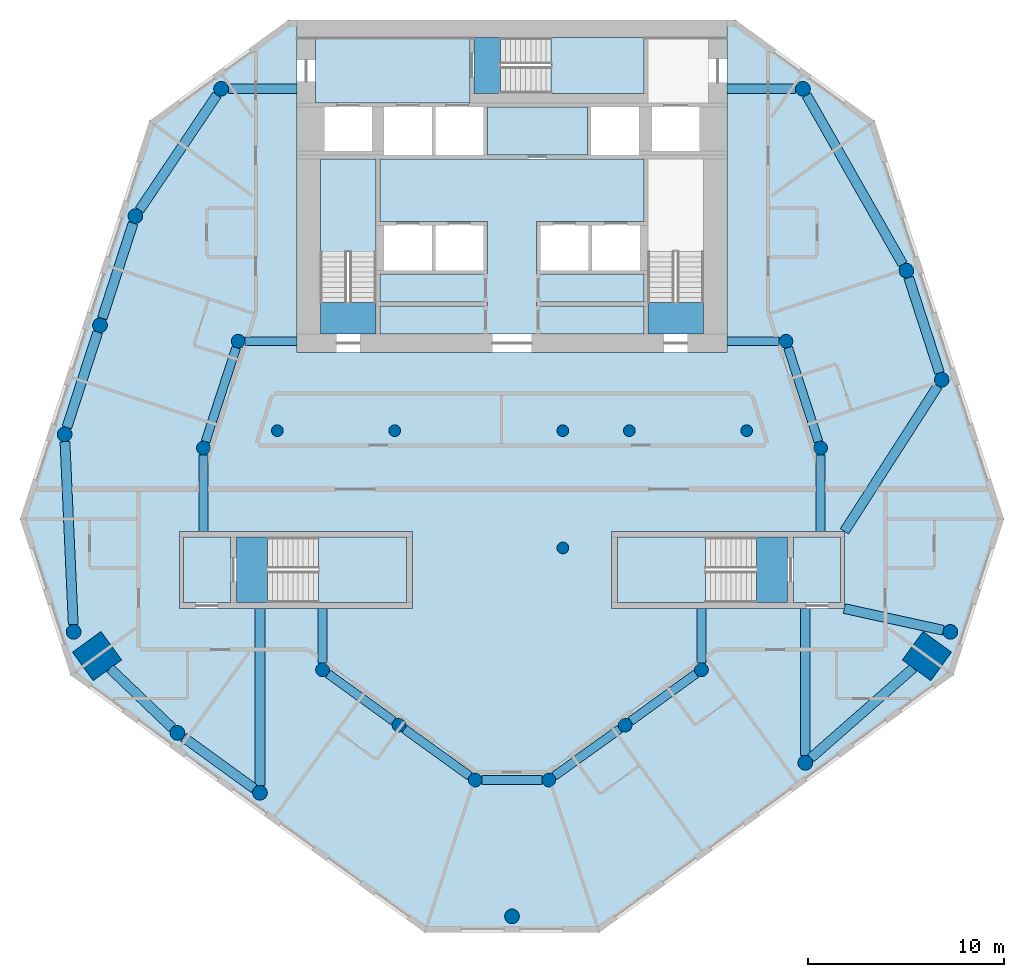
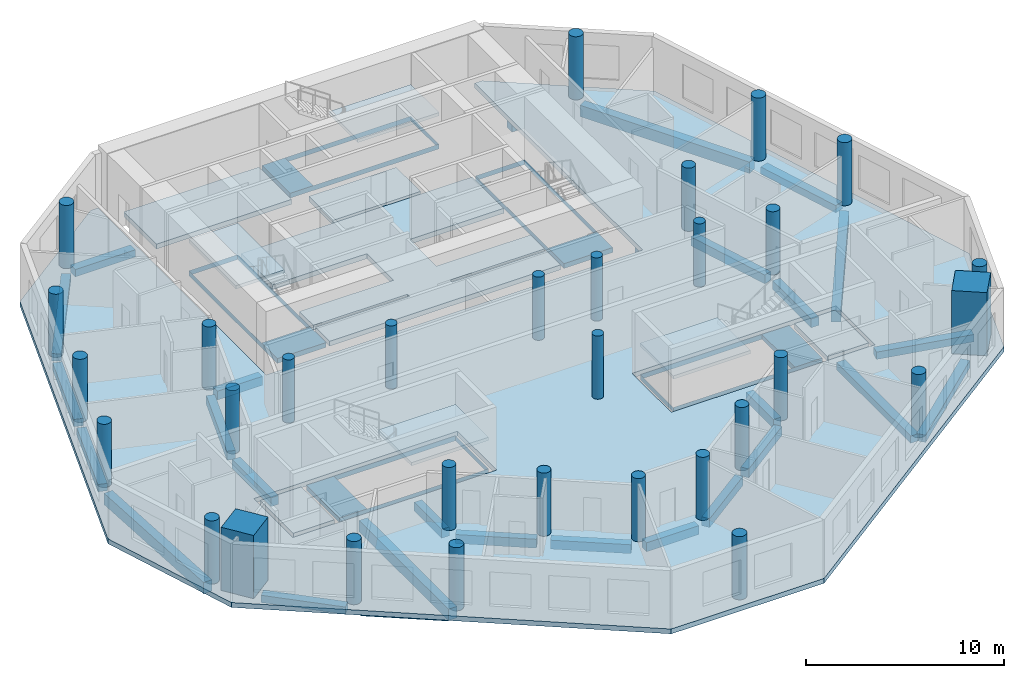
# One storey, part 1 of 9: 31 columns, 28 beams, 15 slabs, 4 elements without a shape of their own.
"""IFC4 building model written with IfcOpenShell, lengths in metres."""

import ifcopenshell
import ifcopenshell.guid

model = None  # the IFC model being written
_history = None  # IfcOwnerHistory: only IFC2X3 demands one
_inside = {}  # id of a spatial element -> (the spatial element, [elements in it])
_under = {}  # id of a project, library or spatial element -> (it, [spatial elements below it])
_declared = {}  # id of a project -> (the project, [libraries it declares])
_typed = {}  # id of a type object -> (the type object, [elements of that type])
_made_of = {}  # id of a material, layer set ... -> (it, [elements and type objects made of it])


def new_model(schema):
    """Start an empty IFC model of exactly this schema.

    Asked for "IFC4X3", IfcOpenShell would pick the latest addendum, in which some entities
    have other attributes; the version numbers below select the first issue.
    IFC2X3 requires an IfcOwnerHistory on every rooted entity: one is made here for all.
    """
    global model, _history
    if schema == "IFC4X3":
        model = ifcopenshell.file(schema_version=(4, 3, 0, 0))
    else:
        model = ifcopenshell.file(schema=schema)
    _inside.clear()
    _under.clear()
    _declared.clear()
    _typed.clear()
    _made_of.clear()
    _history = None
    if model.schema == "IFC2X3":
        org = make("IfcOrganization", Name="unknown")
        user = make(
            "IfcPersonAndOrganization",
            ThePerson=make("IfcPerson", FamilyName="unknown"),
            TheOrganization=org,
        )
        app = make(
            "IfcApplication",
            ApplicationDeveloper=org,
            Version="unknown",
            ApplicationFullName="unknown",
            ApplicationIdentifier="unknown",
        )
        _history = make(
            "IfcOwnerHistory",
            OwningUser=user,
            OwningApplication=app,
            ChangeAction="ADDED",
            CreationDate=0,
        )
    return model


def make(cls, **values):
    """One entity of the class cls with the attributes given. An attribute that is None is left unset."""
    return model.create_entity(
        cls, **{name: value for name, value in values.items() if value is not None}
    )


def rooted(cls, **values):
    """An entity with a GlobalId (a new one), such as an element, a storey or a relation."""
    return make(cls, GlobalId=ifcopenshell.guid.new(), OwnerHistory=_history, **values)


def si_unit(unit_type, name, prefix=None):
    """IfcSIUnit, for example si_unit("LENGTHUNIT", "METRE", prefix="MILLI")."""
    return make("IfcSIUnit", UnitType=unit_type, Prefix=prefix, Name=name)


def assignment(units):
    """IfcUnitAssignment: the units of a project."""
    return None if units is None else make("IfcUnitAssignment", Units=units)


def point(xyz):
    """IfcCartesianPoint."""
    return None if xyz is None else make("IfcCartesianPoint", Coordinates=xyz)


def direction(xyz):
    """IfcDirection."""
    return None if xyz is None else make("IfcDirection", DirectionRatios=xyz)


def frame(location, z_axis=None, x_axis=None):
    """IfcAxis2Placement3D, a coordinate frame: its origin and axes. An axis left out is left unset."""
    return make(
        "IfcAxis2Placement3D",
        Location=point(location),
        Axis=direction(z_axis),
        RefDirection=direction(x_axis),
    )


def frame_2d(location, x_axis=None):
    """IfcAxis2Placement2D, a coordinate frame in the plane: its origin and x axis."""
    return make(
        "IfcAxis2Placement2D", Location=point(location), RefDirection=direction(x_axis)
    )


def origin():
    """The frame at (0, 0, 0) with its axes left unset."""
    return frame((0.0, 0.0, 0.0))


def origin_2d():
    """The frame at (0, 0) in the plane with its x axis left unset."""
    return frame_2d((0.0, 0.0))


def place(relative_to, where):
    """IfcLocalPlacement: puts the frame where relative to a parent placement (None: the world)."""
    return make(
        "IfcLocalPlacement", PlacementRelTo=relative_to, RelativePlacement=where
    )


def context(
    kind, dimensions, precision=None, world=None, true_north=None, identifier=None
):
    """IfcGeometricRepresentationContext, for example the 3D "Model" context."""
    return make(
        "IfcGeometricRepresentationContext",
        ContextIdentifier=identifier,
        ContextType=kind,
        CoordinateSpaceDimension=dimensions,
        Precision=precision,
        WorldCoordinateSystem=world,
        TrueNorth=true_north,
    )


def subcontext(parent, identifier, kind, view, scale=None):
    """IfcGeometricRepresentationSubContext, for example "Body" below "Model"."""
    return make(
        "IfcGeometricRepresentationSubContext",
        ContextIdentifier=identifier,
        ContextType=kind,
        ParentContext=parent,
        TargetScale=scale,
        TargetView=view,
    )


def project(units=None, contexts=None):
    """IfcProject with its units and contexts."""
    return rooted(
        "IfcProject",
        Name="project",
        RepresentationContexts=contexts,
        UnitsInContext=assignment(units),
    )


def spatial(cls, under=None, at=None, **own):
    """A site, building, storey or space (cls), placed at a placement, below another one or the project."""
    s = rooted(cls, ObjectPlacement=at, **own)
    if under is not None:
        _under.setdefault(under.id(), (under, []))[1].append(s)
    return s


def polyline(points):
    """IfcPolyline through the points."""
    return make("IfcPolyline", Points=[point(p) for p in points])


def profile(cls, at=None, kind="AREA", **sizes):
    """A parametric profile (cls). Its sizes go by their IFC names, for example OverallWidth=200.0."""
    return make(cls, ProfileType=kind, Position=at, **sizes)


def rectangle(**sizes):
    """IfcRectangleProfileDef."""
    return profile("IfcRectangleProfileDef", **sizes)


def circle(**sizes):
    """IfcCircleProfileDef."""
    return profile("IfcCircleProfileDef", **sizes)


def outline(outer, holes=None, kind="AREA"):
    """IfcArbitraryClosedProfileDef: a profile drawn as a closed curve; with holes, ...WithVoids."""
    if holes is None:
        return make("IfcArbitraryClosedProfileDef", ProfileType=kind, OuterCurve=outer)
    return make(
        "IfcArbitraryProfileDefWithVoids",
        ProfileType=kind,
        OuterCurve=outer,
        InnerCurves=holes,
    )


def extrude(swept, where, along, depth):
    """IfcExtrudedAreaSolid: the profile swept, set in the frame where, extruded along a direction by depth."""
    return make(
        "IfcExtrudedAreaSolid",
        SweptArea=swept,
        Position=where,
        ExtrudedDirection=direction(along),
        Depth=depth,
    )


def shape(context_of_items, identifier, shape_type, items):
    """IfcShapeRepresentation: the items that make up one representation, for example the "Body"."""
    return make(
        "IfcShapeRepresentation",
        ContextOfItems=context_of_items,
        RepresentationIdentifier=identifier,
        RepresentationType=shape_type,
        Items=items,
    )


def material(Name=None, Category=None):
    """IfcMaterial."""
    return make("IfcMaterial", Name=Name, Category=Category)


def layer(
    of_material, thickness, ventilated=None, Name=None, Category=None, Priority=None
):
    """IfcMaterialLayer: one layer of a wall or slab, of a material (None: an air gap)."""
    return make(
        "IfcMaterialLayer",
        Material=of_material,
        LayerThickness=thickness,
        IsVentilated=ventilated,
        Name=Name,
        Category=Category,
        Priority=Priority,
    )


def layer_set(layers, Name=None):
    """IfcMaterialLayerSet."""
    return make("IfcMaterialLayerSet", MaterialLayers=layers, LayerSetName=Name)


def material_profile(
    of_material, cross_section, Name=None, Category=None, Priority=None
):
    """IfcMaterialProfile: a cross section and its material."""
    return make(
        "IfcMaterialProfile",
        Name=Name,
        Material=of_material,
        Profile=cross_section,
        Priority=Priority,
        Category=Category,
    )


def profile_set(profiles, Name=None, composite=None):
    """IfcMaterialProfileSet."""
    return make(
        "IfcMaterialProfileSet",
        Name=Name,
        MaterialProfiles=profiles,
        CompositeProfile=composite,
    )


def made_of(thing, what):
    """Note that an element or type object is made of a material, layer set ...; save() writes the relation."""
    if what is not None:
        _made_of.setdefault(what.id(), (what, []))[1].append(thing)
    return thing


def type_object(cls, material=None, **own):
    """A type object (cls), such as IfcWallType, which elements share."""
    return made_of(rooted(cls, **own), material)


def element(
    cls,
    number,
    at=None,
    inside=None,
    cuts=None,
    type_object=None,
    material=None,
    context=None,
    identifier="Body",
    shape_type=None,
    held_by="IfcProductDefinitionShape",
    body=None,
    shapes=None,
    **own,
):
    """One element of the class cls, such as IfcWall. Its Tag is "e" and its number.

    at: its placement. inside: the storey or other place that contains it. cuts: it is an
    opening in that element (IfcRelVoidsElement). A single representation is given by context,
    identifier, shape_type and body (its items); several are given by shapes. held_by: the class
    of the entity that holds the representations. save() writes the other relations.
    """
    e = rooted(cls, Tag="e%d" % number, ObjectPlacement=at, **own)
    if body is not None:
        shapes = [shape(context, identifier, shape_type, body)]
    if shapes is not None:
        e.Representation = make(held_by, Representations=shapes)
    if inside is not None:
        _inside.setdefault(inside.id(), (inside, []))[1].append(e)
    if cuts is not None:
        rooted(
            "IfcRelVoidsElement", RelatingBuildingElement=cuts, RelatedOpeningElement=e
        )
    if type_object is not None:
        _typed.setdefault(type_object.id(), (type_object, []))[1].append(e)
    return made_of(e, material)


def aggregate(whole, parts):
    """IfcRelAggregates: a whole, such as a stair, and the parts it consists of."""
    return rooted("IfcRelAggregates", RelatingObject=whole, RelatedObjects=parts)


def save(model, path):
    """Write the relations noted so far, then the file.

    IfcRelAggregates (storeys below a building ...), IfcRelContainedInSpatialStructure (elements
    in a storey), IfcRelDefinesByType, IfcRelAssociatesMaterial and IfcRelDeclares: one each for
    every whole, place, type object, material and project.
    """
    for whole, parts in _under.values():
        aggregate(whole, parts)
    for where, things in _inside.values():
        rooted(
            "IfcRelContainedInSpatialStructure",
            RelatedElements=things,
            RelatingStructure=where,
        )
    for kind, things in _typed.values():
        rooted("IfcRelDefinesByType", RelatedObjects=things, RelatingType=kind)
    for what, things in _made_of.values():
        rooted("IfcRelAssociatesMaterial", RelatedObjects=things, RelatingMaterial=what)
    for by, libraries in _declared.values():
        rooted("IfcRelDeclares", RelatingContext=by, RelatedDefinitions=libraries)
    model.write(path)


model = new_model("IFC4")

# Units and contexts
model_context = context("Model", 3, precision=1e-05, world=origin(), true_north=direction((0.0, 1.0)))
body_context = subcontext(model_context, "Body", "Model", "MODEL_VIEW")
ifc_project = project(units=[si_unit("LENGTHUNIT", "METRE"), si_unit("AREAUNIT", "SQUARE_METRE"), si_unit("VOLUMEUNIT", "CUBIC_METRE"), si_unit("PLANEANGLEUNIT", "RADIAN"), si_unit("MASSUNIT", "GRAM", prefix="KILO")], contexts=[model_context])

# Site, building, storey
site_placement = place(None, origin())
site = spatial("IfcSite", under=ifc_project, at=site_placement, CompositionType="ELEMENT")
building_placement = place(site_placement, origin())
building = spatial("IfcBuilding", under=site, at=building_placement, Name="White Candle Pilgrim Tower", CompositionType="ELEMENT")
storey_placement = place(building_placement, frame((0.0, 0.0, 187.60009765625)))
storey = spatial("IfcBuildingStorey", under=building, at=storey_placement, Name="L43", CompositionType="ELEMENT", Elevation=187.60009765625)

# Columns
ifc_material_1 = material(Name="Concrete C70/85", Category="concrete")
ifc_material_profile_1 = material_profile(ifc_material_1, circle(Radius=0.300048828125, at=origin_2d()), Name="RC-COL D600")
ifc_profile_set_1 = profile_set([ifc_material_profile_1], Name="Concrete C70/85")
column_type_1 = type_object("IfcColumnType", Name="Interior column RC-COL D600 C70/85", PredefinedType="COLUMN", material=ifc_profile_set_1)
for number, where, z_axis, x_axis, name in (
    (1, (58.0, 67.0, 0.0), (0.0, 0.0, 1.0), (1.0, 0.0, 0.0), "L43 column I01"),
    (2, (64.0, 67.0, 0.0), (0.0, 0.0, 1.0), (1.0, 0.0, 0.0), "L43 column I02"),
    (3, (72.60009765625, 61.0, 0.0), (0.0, 0.0, 1.0), (1.0, 0.0, 0.0), "L43 column I03"),
    (4, (72.60009765625, 67.0, 0.0), (0.0, 0.0, 1.0), (1.0, 0.0, 0.0), "L43 column I04"),
    (5, (76.0, 67.0, 0.0), (0.0, 0.0, 1.0), (1.0, 0.0, 0.0), "L43 column I05"),
    (6, (82.0, 67.0, 0.0), (0.0, 0.0, 1.0), (1.0, 0.0, 0.0), "L43 column I06"),
):
    element("IfcColumn", number, at=place(storey_placement, frame(where, z_axis=z_axis, x_axis=x_axis)), inside=storey, type_object=column_type_1, Name=name, PredefinedType="COLUMN", context=body_context, shape_type="SweptSolid", body=[
        extrude(circle(Radius=0.300048828125, at=origin_2d()), origin(), (0.0, 0.0, 1.0), 3.89990234375),
    ])
ifc_material_profile_2 = material_profile(ifc_material_1, rectangle(XDim=1.800048828125, YDim=1.800048828125, at=origin_2d()), Name="RC 1800x1800")
ifc_profile_set_2 = profile_set([ifc_material_profile_2], Name="Concrete C70/85")
column_type_2 = type_object("IfcColumnType", Name="Mega column RC 1800x1800 C70/85", PredefinedType="COLUMN", material=ifc_profile_set_2)
for number, where, z_axis, x_axis, name in (
    (7, (48.780029296875, 55.469970703125, 0.0), (0.0, 0.0, 1.0), (-0.809016994375, -0.587785252292, 0.0), "L43 mega column T02"),
    (8, (91.219970703125, 55.469970703125, 0.0), (0.0, 0.0, 1.0), (0.809016994375, -0.587785252292, 0.0), "L43 mega column T07"),
):
    element("IfcColumn", number, at=place(storey_placement, frame(where, z_axis=z_axis, x_axis=x_axis)), inside=storey, type_object=column_type_2, Name=name, PredefinedType="COLUMN", context=body_context, shape_type="SweptSolid", body=[
        extrude(rectangle(XDim=1.800048828125, YDim=1.800048828125, at=origin_2d()), origin(), (0.0, 0.0, 1.0), 3.89990234375),
    ])
ifc_material_profile_3 = material_profile(ifc_material_1, circle(Radius=0.375, at=origin_2d()), Name="RC-COL D750")
ifc_profile_set_3 = profile_set([ifc_material_profile_3], Name="Concrete C70/85")
column_type_3 = type_object("IfcColumnType", Name="Perimeter column RC-COL D750 C70/85", PredefinedType="COLUMN", material=ifc_profile_set_3)
for number, where, z_axis, x_axis, name in (
    (9, (47.580078125, 56.7099609375, 0.0), (0.0, 0.0, 1.0), (1.0, 0.0, 0.0), "L43 column T01"),
    (10, (52.889892578125, 51.5400390625, 0.0), (0.0, 0.0, 1.0), (1.0, 0.0, 0.0), "L43 column T03"),
    (11, (57.110107421875, 48.47998046875, 0.0), (0.0, 0.0, 1.0), (1.0, 0.0, 0.0), "L43 column T04"),
    (12, (70.0, 42.159912109375, 0.0), (0.0, 0.0, 1.0), (1.0, 0.0, 0.0), "L43 column T05"),
    (13, (85.0, 50.010009765625, 0.0), (0.0, 0.0, 1.0), (1.0, 0.0, 0.0), "L43 column T06"),
    (14, (92.419921875, 56.7099609375, 0.0), (0.0, 0.0, 1.0), (1.0, 0.0, 0.0), "L43 column T08"),
    (15, (91.97998046875, 69.60009765625, 0.0), (0.0, 0.0, 1.0), (1.0, 0.0, 0.0), "L43 column T09"),
    (16, (90.169921875, 75.179931640625, 0.0), (0.0, 0.0, 1.0), (1.0, 0.0, 0.0), "L43 column T10"),
    (17, (84.8798828125, 84.47998046875, 0.0), (0.0, 0.0, 1.0), (1.0, 0.0, 0.0), "L43 column T11"),
    (18, (55.1201171875, 84.47998046875, 0.0), (0.0, 0.0, 1.0), (1.0, 0.0, 0.0), "L43 column T12"),
    (19, (50.739990234375, 77.969970703125, 0.0), (0.0, 0.0, 1.0), (1.0, 0.0, 0.0), "L43 column T13"),
    (20, (48.929931640625, 72.389892578125, 0.0), (0.0, 0.0, 1.0), (1.0, 0.0, 0.0), "L43 column T14"),
    (21, (47.1201171875, 66.81005859375, 0.0), (0.0, 0.0, 1.0), (1.0, 0.0, 0.0), "L43 column T15"),
):
    element("IfcColumn", number, at=place(storey_placement, frame(where, z_axis=z_axis, x_axis=x_axis)), inside=storey, type_object=column_type_3, Name=name, PredefinedType="COLUMN", context=body_context, shape_type="SweptSolid", body=[
        extrude(circle(Radius=0.375, at=origin_2d()), origin(), (0.0, 0.0, 1.0), 3.89990234375),
    ])
ifc_material_profile_4 = material_profile(ifc_material_1, circle(Radius=0.35009765625, at=origin_2d()), Name="RC-COL D700")
ifc_profile_set_4 = profile_set([ifc_material_profile_4], Name="Concrete C70/85")
column_type_4 = type_object("IfcColumnType", Name="Ring column RC-COL D700 C70/85", PredefinedType="COLUMN", material=ifc_profile_set_4)
for number, where, z_axis, x_axis, name in (
    (22, (60.31005859375, 54.77001953125, 0.0), (0.0, 0.0, 1.0), (1.0, 0.0, 0.0), "L43 column R01"),
    (23, (64.219970703125, 51.93994140625, 0.0), (0.0, 0.0, 1.0), (1.0, 0.0, 0.0), "L43 column R02"),
    (24, (68.1201171875, 49.1298828125, 0.0), (0.0, 0.0, 1.0), (1.0, 0.0, 0.0), "L43 column R03"),
    (25, (71.8798828125, 49.1298828125, 0.0), (0.0, 0.0, 1.0), (1.0, 0.0, 0.0), "L43 column R04"),
    (26, (75.7900390625, 51.93994140625, 0.0), (0.0, 0.0, 1.0), (1.0, 0.0, 0.0), "L43 column R05"),
    (27, (79.68994140625, 54.77001953125, 0.0), (0.0, 0.0, 1.0), (1.0, 0.0, 0.0), "L43 column R06"),
    (28, (85.780029296875, 66.110107421875, 0.0), (0.0, 0.0, 1.0), (1.0, 0.0, 0.0), "L43 column R07"),
    (29, (84.010009765625, 71.570068359375, 0.0), (0.0, 0.0, 1.0), (1.0, 0.0, 0.0), "L43 column R08"),
    (30, (56.0, 71.570068359375, 0.0), (0.0, 0.0, 1.0), (1.0, 0.0, 0.0), "L43 column R09"),
    (31, (54.219970703125, 66.110107421875, 0.0), (0.0, 0.0, 1.0), (1.0, 0.0, 0.0), "L43 column R10"),
):
    element("IfcColumn", number, at=place(storey_placement, frame(where, z_axis=z_axis, x_axis=x_axis)), inside=storey, type_object=column_type_4, Name=name, PredefinedType="COLUMN", context=body_context, shape_type="SweptSolid", body=[
        extrude(circle(Radius=0.35009765625, at=origin_2d()), origin(), (0.0, 0.0, 1.0), 3.89990234375),
    ])

# Beams
ifc_material_2 = material(Name="Concrete C50/60", Category="concrete")
ifc_material_profile_5 = material_profile(ifc_material_2, rectangle(XDim=0.449951171875, YDim=0.550048828125, at=origin_2d()), Name="RC-BM 450x550")
ifc_profile_set_5 = profile_set([ifc_material_profile_5], Name="Concrete C50/60")
beam_type_1 = type_object("IfcBeamType", Name="Ring beam RC-BM 450x550 C50/60", PredefinedType="BEAM", material=ifc_profile_set_5)
beam_1_placement = place(storey_placement, frame((60.593505859375, 54.56494140625, -0.5751953125), z_axis=(0.810043858436, -0.586369292691, 0.0), x_axis=(0.586369292691, 0.810043858436, 0.0)))
element("IfcBeam", 32, at=beam_1_placement, inside=storey, type_object=beam_type_1, Name="L43 ring beam R01", PredefinedType="BEAM", context=body_context, shape_type="SweptSolid", body=[
    extrude(rectangle(XDim=0.449951171875, YDim=0.550048828125, at=origin_2d()), origin(), (0.0, 0.0, 1.0), 4.126953125),
])
beam_2_placement = place(storey_placement, frame((64.50390625, 51.735595703125, -0.5751953125), z_axis=(0.811316688041, -0.584606903574, 0.0), x_axis=(0.584606903574, 0.811316688041, 0.0)))
element("IfcBeam", 33, at=beam_2_placement, inside=storey, type_object=beam_type_1, Name="L43 ring beam R02", PredefinedType="BEAM", context=body_context, shape_type="SweptSolid", body=[
    extrude(rectangle(XDim=0.449951171875, YDim=0.550048828125, at=origin_2d()), origin(), (0.0, 0.0, 1.0), 4.107177734375),
])
beam_3_placement = place(storey_placement, frame((68.469970703125, 49.1298828125, -0.5751953125), z_axis=(1.0, 0.0, 0.0), x_axis=(0.0, 1.0, 0.0)))
element("IfcBeam", 34, at=beam_3_placement, inside=storey, type_object=beam_type_1, Name="L43 ring beam R03", PredefinedType="BEAM", context=body_context, shape_type="SweptSolid", body=[
    extrude(rectangle(XDim=0.449951171875, YDim=0.550048828125, at=origin_2d()), origin(), (0.0, 0.0, 1.0), 3.06005859375),
])
beam_4_placement = place(storey_placement, frame((72.1640625, 49.333984375, -0.5751953125), z_axis=(0.812022399974, 0.583626269063, 0.0), x_axis=(-0.583626269063, 0.812022399974, 0.0)))
element("IfcBeam", 35, at=beam_4_placement, inside=storey, type_object=beam_type_1, Name="L43 ring beam R04", PredefinedType="BEAM", context=body_context, shape_type="SweptSolid", body=[
    extrude(rectangle(XDim=0.449951171875, YDim=0.550048828125, at=origin_2d()), origin(), (0.0, 0.0, 1.0), 4.115478515625),
])
beam_5_placement = place(storey_placement, frame((76.072998046875, 52.1455078125, -0.5751953125), z_axis=(0.809401961177, 0.587255025728, 0.0), x_axis=(-0.587255025728, 0.809401961177, 0.0)))
element("IfcBeam", 36, at=beam_5_placement, inside=storey, type_object=beam_type_1, Name="L43 ring beam R05", PredefinedType="BEAM", context=body_context, shape_type="SweptSolid", body=[
    extrude(rectangle(XDim=0.449951171875, YDim=0.550048828125, at=origin_2d()), origin(), (0.0, 0.0, 1.0), 4.119140625),
])
beam_6_placement = place(storey_placement, frame((79.68994140625, 55.1201171875, -0.5751953125), z_axis=(0.0, 1.0, 0.0), x_axis=(-1.0, 0.0, 0.0)))
element("IfcBeam", 37, at=beam_6_placement, inside=storey, type_object=beam_type_1, Name="L43 ring beam R06", PredefinedType="BEAM", context=body_context, shape_type="SweptSolid", body=[
    extrude(rectangle(XDim=0.449951171875, YDim=0.550048828125, at=origin_2d()), origin(), (0.0, 0.0, 1.0), 2.77978515625),
])
beam_7_placement = place(storey_placement, frame((85.780029296875, 65.760009765625, -0.5751953125), z_axis=(0.0, -1.0, 0.0), x_axis=(1.0, 0.0, 0.0)))
element("IfcBeam", 38, at=beam_7_placement, inside=storey, type_object=beam_type_1, Name="L43 ring beam R07", PredefinedType="BEAM", context=body_context, shape_type="SweptSolid", body=[
    extrude(rectangle(XDim=0.449951171875, YDim=0.550048828125, at=origin_2d()), origin(), (0.0, 0.0, 1.0), 3.909912109375),
])
beam_8_placement = place(storey_placement, frame((85.672119140625, 66.44287109375, -0.5751953125), z_axis=(-0.308369651752, 0.95126660715, 0.0), x_axis=(-0.95126660715, -0.308369651752, 0.0)))
element("IfcBeam", 39, at=beam_8_placement, inside=storey, type_object=beam_type_1, Name="L43 ring beam R08", PredefinedType="BEAM", context=body_context, shape_type="SweptSolid", body=[
    extrude(rectangle(XDim=0.449951171875, YDim=0.550048828125, at=origin_2d()), origin(), (0.0, 0.0, 1.0), 5.0400390625),
])
beam_9_placement = place(storey_placement, frame((83.659912109375, 71.570068359375, -0.5751953125), z_axis=(-1.0, 0.0, 0.0), x_axis=(0.0, -1.0, 0.0)))
element("IfcBeam", 40, at=beam_9_placement, inside=storey, type_object=beam_type_1, Name="L43 ring beam R09", PredefinedType="BEAM", context=body_context, shape_type="SweptSolid", body=[
    extrude(rectangle(XDim=0.449951171875, YDim=0.550048828125, at=origin_2d()), origin(), (0.0, 0.0, 1.0), 2.659912109375),
])
beam_10_placement = place(storey_placement, frame((56.35009765625, 71.570068359375, -0.5751953125), z_axis=(1.0, 0.0, 0.0), x_axis=(0.0, 1.0, 0.0)))
element("IfcBeam", 41, at=beam_10_placement, inside=storey, type_object=beam_type_1, Name="L43 ring beam R10", PredefinedType="BEAM", context=body_context, shape_type="SweptSolid", body=[
    extrude(rectangle(XDim=0.449951171875, YDim=0.550048828125, at=origin_2d()), origin(), (0.0, 0.0, 1.0), 2.64990234375),
])
beam_11_placement = place(storey_placement, frame((55.8916015625, 71.2373046875, -0.5751953125), z_axis=(-0.309975890104, -0.950744417577, 0.0), x_axis=(0.950744417577, -0.309975890104, 0.0)))
element("IfcBeam", 42, at=beam_11_placement, inside=storey, type_object=beam_type_1, Name="L43 ring beam R11", PredefinedType="BEAM", context=body_context, shape_type="SweptSolid", body=[
    extrude(rectangle(XDim=0.449951171875, YDim=0.550048828125, at=origin_2d()), origin(), (0.0, 0.0, 1.0), 5.04296875),
])
beam_12_placement = place(storey_placement, frame((54.219970703125, 65.760009765625, -0.5751953125), z_axis=(0.0, -1.0, 0.0), x_axis=(1.0, 0.0, 0.0)))
element("IfcBeam", 43, at=beam_12_placement, inside=storey, type_object=beam_type_1, Name="L43 ring beam R12", PredefinedType="BEAM", context=body_context, shape_type="SweptSolid", body=[
    extrude(rectangle(XDim=0.449951171875, YDim=0.550048828125, at=origin_2d()), origin(), (0.0, 0.0, 1.0), 3.909912109375),
])
beam_13_placement = place(storey_placement, frame((60.31005859375, 55.1201171875, -0.5751953125), z_axis=(0.0, 1.0, 0.0), x_axis=(-1.0, 0.0, 0.0)))
element("IfcBeam", 44, at=beam_13_placement, inside=storey, type_object=beam_type_1, Name="L43 ring beam R13", PredefinedType="BEAM", context=body_context, shape_type="SweptSolid", body=[
    extrude(rectangle(XDim=0.449951171875, YDim=0.550048828125, at=origin_2d()), origin(), (0.0, 0.0, 1.0), 2.77978515625),
])
ifc_material_profile_6 = material_profile(ifc_material_2, rectangle(XDim=0.5, YDim=0.449951171875, at=origin_2d()), Name="RC-BM 500x450")
ifc_profile_set_6 = profile_set([ifc_material_profile_6], Name="Concrete C50/60")
beam_type_2 = type_object("IfcBeamType", Name="Spandrel beam RC-BM 500x450 C50/60", PredefinedType="BEAM", material=ifc_profile_set_6)
beam_14_placement = place(storey_placement, frame((49.441162109375, 54.837890625, -0.525146484375), z_axis=(0.722753991569, -0.691105395487, 0.0), x_axis=(0.691105395487, 0.722753991569, 0.0)))
element("IfcBeam", 45, at=beam_14_placement, inside=storey, type_object=beam_type_2, Name="L43 spandrel beam T01", PredefinedType="BEAM", context=body_context, shape_type="SweptSolid", body=[
    extrude(rectangle(XDim=0.5, YDim=0.449951171875, at=origin_2d()), origin(), (0.0, 0.0, 1.0), 4.39697265625),
])
beam_15_placement = place(storey_placement, frame((53.193359375, 51.320068359375, -0.525146484375), z_axis=(0.809558451789, -0.587039277338, 0.0), x_axis=(0.587039277338, 0.809558451789, 0.0)))
element("IfcBeam", 46, at=beam_15_placement, inside=storey, type_object=beam_type_2, Name="L43 spandrel beam T02", PredefinedType="BEAM", context=body_context, shape_type="SweptSolid", body=[
    extrude(rectangle(XDim=0.5, YDim=0.449951171875, at=origin_2d()), origin(), (0.0, 0.0, 1.0), 4.46337890625),
])
beam_16_placement = place(storey_placement, frame((85.0, 50.385009765625, -0.525146484375), z_axis=(0.0, 1.0, 0.0), x_axis=(-1.0, 0.0, 0.0)))
element("IfcBeam", 47, at=beam_16_placement, inside=storey, type_object=beam_type_2, Name="L43 spandrel beam T04", PredefinedType="BEAM", context=body_context, shape_type="SweptSolid", body=[
    extrude(rectangle(XDim=0.5, YDim=0.449951171875, at=origin_2d()), origin(), (0.0, 0.0, 1.0), 7.514892578125),
])
beam_17_placement = place(storey_placement, frame((85.28173828125, 50.25732421875, -0.525146484375), z_axis=(0.751529055224, 0.65969999178, 0.0), x_axis=(-0.65969999178, 0.751529055224, 0.0)))
element("IfcBeam", 48, at=beam_17_placement, inside=storey, type_object=beam_type_2, Name="L43 spandrel beam T05", PredefinedType="BEAM", context=body_context, shape_type="SweptSolid", body=[
    extrude(rectangle(XDim=0.5, YDim=0.449951171875, at=origin_2d()), origin(), (0.0, 0.0, 1.0), 6.97900390625),
])
beam_18_placement = place(storey_placement, frame((92.053955078125, 56.790283203125, -0.525146484375), z_axis=(-0.976735666267, 0.214446819148, 0.0), x_axis=(-0.214446819148, -0.976735666267, 0.0)))
element("IfcBeam", 49, at=beam_18_placement, inside=storey, type_object=beam_type_2, Name="L43 spandrel beam T06", PredefinedType="BEAM", context=body_context, shape_type="SweptSolid", body=[
    extrude(rectangle(XDim=0.5, YDim=0.449951171875, at=origin_2d()), origin(), (0.0, 0.0, 1.0), 5.17431640625),
])
beam_19_placement = place(storey_placement, frame((91.8642578125, 69.95654296875, -0.525146484375), z_axis=(-0.308530369215, 0.951214492779, 0.0), x_axis=(-0.951214492779, -0.308530369215, 0.0)))
element("IfcBeam", 50, at=beam_19_placement, inside=storey, type_object=beam_type_2, Name="L43 spandrel beam T08", PredefinedType="BEAM", context=body_context, shape_type="SweptSolid", body=[
    extrude(rectangle(XDim=0.5, YDim=0.449951171875, at=origin_2d()), origin(), (0.0, 0.0, 1.0), 5.116455078125),
])
for number, where, z_axis, x_axis, name in (
    (51, (84.5048828125, 84.47998046875, -0.525146484375), (-1.0, 0.0, 0.0), (0.0, -1.0, 0.0), "L43 spandrel beam T10"),
    (52, (55.4951171875, 84.47998046875, -0.525146484375), (1.0, 0.0, 0.0), (0.0, 1.0, 0.0), "L43 spandrel beam T11"),
):
    element("IfcBeam", number, at=place(storey_placement, frame(where, z_axis=z_axis, x_axis=x_axis)), inside=storey, type_object=beam_type_2, Name=name, PredefinedType="BEAM", context=body_context, shape_type="SweptSolid", body=[
        extrude(rectangle(XDim=0.5, YDim=0.449951171875, at=origin_2d()), origin(), (0.0, 0.0, 1.0), 3.5048828125),
    ])
beam_20_placement = place(storey_placement, frame((54.91064453125, 84.1689453125, -0.525146484375), z_axis=(-0.55822018442, -0.82969285022, 0.0), x_axis=(0.82969285022, -0.55822018442, 0.0)))
element("IfcBeam", 53, at=beam_20_placement, inside=storey, type_object=beam_type_2, Name="L43 spandrel beam T12", PredefinedType="BEAM", context=body_context, shape_type="SweptSolid", body=[
    extrude(rectangle(XDim=0.5, YDim=0.449951171875, at=origin_2d()), origin(), (0.0, 0.0, 1.0), 7.096435546875),
])
beam_21_placement = place(storey_placement, frame((50.624267578125, 77.61328125, -0.525146484375), z_axis=(-0.308544373382, -0.951209950355, 0.0), x_axis=(0.951209950355, -0.308544373382, 0.0)))
element("IfcBeam", 54, at=beam_21_placement, inside=storey, type_object=beam_type_2, Name="L43 spandrel beam T13", PredefinedType="BEAM", context=body_context, shape_type="SweptSolid", body=[
    extrude(rectangle(XDim=0.5, YDim=0.449951171875, at=origin_2d()), origin(), (0.0, 0.0, 1.0), 5.1162109375),
])
beam_22_placement = place(storey_placement, frame((48.814208984375, 72.033447265625, -0.525146484375), z_axis=(-0.308530369215, -0.951214492779, 0.0), x_axis=(0.951214492779, -0.308530369215, 0.0)))
element("IfcBeam", 55, at=beam_22_placement, inside=storey, type_object=beam_type_2, Name="L43 spandrel beam T14", PredefinedType="BEAM", context=body_context, shape_type="SweptSolid", body=[
    extrude(rectangle(XDim=0.5, YDim=0.449951171875, at=origin_2d()), origin(), (0.0, 0.0, 1.0), 5.116455078125),
])
ifc_material_profile_7 = material_profile(ifc_material_2, rectangle(XDim=0.5, YDim=0.699951171875, at=origin_2d()), Name="RC-BM 500x700")
ifc_profile_set_7 = profile_set([ifc_material_profile_7], Name="Concrete C50/60")
beam_type_3 = type_object("IfcBeamType", Name="Spandrel beam RC-BM 500x700 C50/60", PredefinedType="BEAM", material=ifc_profile_set_7)
beam_23_placement = place(storey_placement, frame((57.110107421875, 48.85498046875, -0.650146484375), z_axis=(0.0, 1.0, 0.0), x_axis=(-1.0, 0.0, 0.0)))
element("IfcBeam", 56, at=beam_23_placement, inside=storey, type_object=beam_type_3, Name="L43 spandrel beam T03", PredefinedType="BEAM", context=body_context, shape_type="SweptSolid", body=[
    extrude(rectangle(XDim=0.5, YDim=0.699951171875, at=origin_2d()), origin(), (0.0, 0.0, 1.0), 9.044921875),
])
beam_24_placement = place(storey_placement, frame((91.77734375, 69.28466796875, -0.650146484375), z_axis=(-0.540595612128, -0.841282582815, 0.0), x_axis=(0.841282582815, -0.540595612128, 0.0)))
element("IfcBeam", 57, at=beam_24_placement, inside=storey, type_object=beam_type_3, Name="L43 spandrel beam T07", PredefinedType="BEAM", context=body_context, shape_type="SweptSolid", body=[
    extrude(rectangle(XDim=0.5, YDim=0.699951171875, at=origin_2d()), origin(), (0.0, 0.0, 1.0), 8.837158203125),
])
beam_25_placement = place(storey_placement, frame((89.984619140625, 75.505859375, -0.650146484375), z_axis=(-0.494422929515, 0.869221471646, 0.0), x_axis=(-0.869221471646, -0.494422929515, 0.0)))
element("IfcBeam", 58, at=beam_25_placement, inside=storey, type_object=beam_type_3, Name="L43 spandrel beam T09", PredefinedType="BEAM", context=body_context, shape_type="SweptSolid", body=[
    extrude(rectangle(XDim=0.5, YDim=0.699951171875, at=origin_2d()), origin(), (0.0, 0.0, 1.0), 9.949462890625),
])
beam_26_placement = place(storey_placement, frame((47.13720703125, 66.435546875, -0.650146484375), z_axis=(0.045485743277, -0.998964987954, 0.0), x_axis=(0.998964987954, 0.045485743277, 0.0)))
element("IfcBeam", 59, at=beam_26_placement, inside=storey, type_object=beam_type_3, Name="L43 spandrel beam T15", PredefinedType="BEAM", context=body_context, shape_type="SweptSolid", body=[
    extrude(rectangle(XDim=0.5, YDim=0.699951171875, at=origin_2d()), origin(), (0.0, 0.0, 1.0), 9.36083984375),
])

# Slabs
ifc_material_3 = material(Name="Concrete C40/50", Category="concrete")
ifc_layer_1 = layer(ifc_material_3, 0.300048828125)
ifc_layer_set_1 = layer_set([ifc_layer_1], Name="Core floor slab 300 mm Concrete C40/50")
slab_type_1 = type_object("IfcSlabType", Name="Core floor slab 300 mm Concrete C40/50", PredefinedType="FLOOR", material=ifc_layer_set_1)
slab_1_placement = place(storey_placement, frame((0.0, 0.0, -0.300048828125)))
element("IfcSlab", 60, at=slab_1_placement, inside=storey, type_object=slab_type_1, Name="CF-L43-01", PredefinedType="FLOOR", context=body_context, shape_type="SweptSolid", body=[
    extrude(outline(polyline([(55.60009765625, 58.199951171875), (53.199951171875, 58.199951171875), (53.199951171875, 61.550048828125), (55.60009765625, 61.550048828125), (55.60009765625, 58.199951171875)])), origin(), (0.0, 0.0, 1.0), 0.300048828125),
])
slab_2_placement = place(storey_placement, frame((0.0, 0.0, -0.300048828125)))
element("IfcSlab", 61, at=slab_2_placement, inside=storey, type_object=slab_type_1, Name="CF-L43-02", PredefinedType="FLOOR", context=body_context, shape_type="SweptSolid", body=[
    extrude(outline(polyline([(55.89990234375, 58.199951171875), (55.89990234375, 61.550048828125), (64.60009765625, 61.550048828125), (64.60009765625, 58.199951171875), (55.89990234375, 58.199951171875)]), holes=[polyline([(57.501953125, 61.548095703125), (57.501953125, 58.201904296875), (64.597900390625, 58.201904296875), (64.597900390625, 61.548095703125), (57.501953125, 61.548095703125)])]), origin(), (0.0, 0.0, 1.0), 0.300048828125),
])
slab_3_placement = place(storey_placement, frame((0.0, 0.0, -0.300048828125)))
element("IfcSlab", 62, at=slab_3_placement, inside=storey, type_object=slab_type_1, Name="CF-L43-03", PredefinedType="FLOOR", context=body_context, shape_type="SweptSolid", body=[
    extrude(outline(polyline([(75.39990234375, 58.199951171875), (75.39990234375, 61.550048828125), (84.10009765625, 61.550048828125), (84.10009765625, 58.199951171875), (75.39990234375, 58.199951171875)]), holes=[polyline([(82.498046875, 58.201904296875), (82.498046875, 61.548095703125), (75.402099609375, 61.548095703125), (75.402099609375, 58.201904296875), (82.498046875, 58.201904296875)])]), origin(), (0.0, 0.0, 1.0), 0.300048828125),
])
slab_4_placement = place(storey_placement, frame((0.0, 0.0, -0.300048828125)))
element("IfcSlab", 63, at=slab_4_placement, inside=storey, type_object=slab_type_1, Name="CF-L43-04", PredefinedType="FLOOR", context=body_context, shape_type="SweptSolid", body=[
    extrude(outline(polyline([(86.800048828125, 58.199951171875), (84.39990234375, 58.199951171875), (84.39990234375, 61.550048828125), (86.800048828125, 61.550048828125), (86.800048828125, 58.199951171875)])), origin(), (0.0, 0.0, 1.0), 0.300048828125),
])
slab_5_placement = place(storey_placement, frame((0.0, 0.0, -0.300048828125)))
element("IfcSlab", 64, at=slab_5_placement, inside=storey, type_object=slab_type_1, Name="CF-L43-05", PredefinedType="FLOOR", context=body_context, shape_type="SweptSolid", body=[
    extrude(outline(polyline([(76.75, 87.10009765625), (76.75, 87.050048828125), (76.75, 84.25), (68.050048828125, 84.25), (68.050048828125, 87.050048828125), (68.050048828125, 87.10009765625), (76.75, 87.10009765625)]), holes=[polyline([(69.402099609375, 87.097900390625), (69.402099609375, 84.251953125), (76.748046875, 84.251953125), (76.748046875, 87.097900390625), (69.402099609375, 87.097900390625)])]), origin(), (0.0, 0.0, 1.0), 0.300048828125),
])
slab_6_placement = place(storey_placement, frame((0.0, 0.0, -0.300048828125)))
element("IfcSlab", 65, at=slab_6_placement, inside=storey, type_object=slab_type_1, Name="CF-L43-07", PredefinedType="FLOOR", context=body_context, shape_type="SweptSolid", body=[
    extrude(outline(polyline([(76.949951171875, 71.949951171875), (76.949951171875, 73.375), (76.949951171875, 73.574951171875), (76.949951171875, 75.0), (76.949951171875, 75.199951171875), (76.949951171875, 77.5), (76.949951171875, 77.699951171875), (76.949951171875, 80.89990234375), (79.800048828125, 80.89990234375), (79.800048828125, 71.949951171875), (76.949951171875, 71.949951171875)]), holes=[polyline([(76.951904296875, 73.552001953125), (79.798095703125, 73.552001953125), (79.798095703125, 80.89794921875), (76.951904296875, 80.89794921875), (76.951904296875, 73.552001953125)])]), origin(), (0.0, 0.0, 1.0), 0.300048828125),
])
slab_7_placement = place(storey_placement, frame((0.0, 0.0, -0.300048828125)))
element("IfcSlab", 66, at=slab_7_placement, inside=storey, type_object=slab_type_1, Name="CF-L43-08", PredefinedType="FLOOR", context=body_context, shape_type="SweptSolid", body=[
    extrude(outline(polyline([(63.25, 71.949951171875), (63.25, 73.375), (68.75, 73.375), (68.75, 73.574951171875), (63.25, 73.574951171875), (63.25, 75.0), (68.75, 75.0), (68.75, 75.199951171875), (68.75, 77.5), (68.75, 77.699951171875), (63.25, 77.699951171875), (63.25, 80.89990234375), (76.75, 80.89990234375), (76.75, 77.699951171875), (71.25, 77.699951171875), (71.25, 77.5), (71.25, 75.199951171875), (71.25, 75.0), (76.75, 75.0), (76.75, 73.574951171875), (71.25, 73.574951171875), (71.25, 73.375), (76.75, 73.375), (76.75, 71.949951171875), (63.25, 71.949951171875)])), origin(), (0.0, 0.0, 1.0), 0.300048828125),
])
slab_8_placement = place(storey_placement, frame((0.0, 0.0, -0.300048828125)))
element("IfcSlab", 67, at=slab_8_placement, inside=storey, type_object=slab_type_1, Name="CF-L43-09", PredefinedType="FLOOR", context=body_context, shape_type="SweptSolid", body=[
    extrude(outline(polyline([(60.199951171875, 71.949951171875), (60.199951171875, 80.89990234375), (63.050048828125, 80.89990234375), (63.050048828125, 77.699951171875), (63.050048828125, 77.5), (63.050048828125, 75.199951171875), (63.050048828125, 75.0), (63.050048828125, 73.574951171875), (63.050048828125, 73.375), (63.050048828125, 71.949951171875), (60.199951171875, 71.949951171875)]), holes=[polyline([(60.201904296875, 73.552001953125), (63.048095703125, 73.552001953125), (63.048095703125, 80.89794921875), (60.201904296875, 80.89794921875), (60.201904296875, 73.552001953125)])]), origin(), (0.0, 0.0, 1.0), 0.300048828125),
])
slab_9_placement = place(storey_placement, frame((0.0, 0.0, -0.300048828125)))
element("IfcSlab", 68, at=slab_9_placement, inside=storey, type_object=slab_type_1, Name="CF-L43-10", PredefinedType="FLOOR", context=body_context, shape_type="SweptSolid", body=[
    extrude(outline(polyline([(59.949951171875, 87.050048828125), (67.85009765625, 87.050048828125), (67.85009765625, 84.25), (67.85009765625, 83.75), (59.949951171875, 83.75), (59.949951171875, 87.050048828125)])), origin(), (0.0, 0.0, 1.0), 0.300048828125),
])
slab_10_placement = place(storey_placement, frame((0.0, 0.0, -0.300048828125)))
element("IfcSlab", 69, at=slab_10_placement, inside=storey, type_object=slab_type_1, Name="CF-L43-11", PredefinedType="FLOOR", context=body_context, shape_type="SweptSolid", body=[
    extrude(outline(polyline([(73.85009765625, 83.550048828125), (73.85009765625, 81.10009765625), (68.75, 81.10009765625), (68.75, 83.550048828125), (73.85009765625, 83.550048828125)])), origin(), (0.0, 0.0, 1.0), 0.300048828125),
])
ifc_layer_2 = layer(ifc_material_3, 0.300048828125)
ifc_layer_set_2 = layer_set([ifc_layer_2], Name="Floor slab 300 REI 120")
slab_type_2 = type_object("IfcSlabType", Name="Floor slab 300 REI 120", PredefinedType="FLOOR", material=ifc_layer_set_2)
slab_11_placement = place(storey_placement, frame((0.0, 0.0, -0.300048828125)))
element("IfcSlab", 70, at=slab_11_placement, inside=storey, type_object=slab_type_2, Name="L43 floor slab", PredefinedType="FLOOR", context=body_context, shape_type="SweptSolid", body=[
    extrude(outline(polyline([(65.53564453125, 41.333984375), (74.46435546875, 41.333984375), (92.567138671875, 54.486328125), (95.161376953125, 62.470703125), (88.544189453125, 82.836181640625), (81.43701171875, 88.0), (81.0, 88.0), (81.0, 71.0), (59.0, 71.0), (59.0, 88.0), (58.56298828125, 88.0), (51.455810546875, 82.836181640625), (44.838623046875, 62.470703125), (47.432861328125, 54.486328125), (65.53564453125, 41.333984375)]), holes=[polyline([(53.0, 57.89990234375), (53.0, 61.85009765625), (64.89990234375, 61.85009765625), (64.89990234375, 57.89990234375), (53.0, 57.89990234375)]), polyline([(75.10009765625, 57.89990234375), (75.10009765625, 61.85009765625), (87.0, 61.85009765625), (87.0, 57.89990234375), (75.10009765625, 57.89990234375)])]), origin(), (0.0, 0.0, 1.0), 0.300048828125),
])

# Stair, slab
stair_type_1 = type_object("IfcStairType", Name="Exit stair 1 flight width 1350 mm", PredefinedType="HALF_TURN_STAIR", material=ifc_material_3)
stair_1_placement = place(storey_placement, origin())
stair_1 = element("IfcStair", 71, at=stair_1_placement, inside=storey, type_object=stair_type_1, Name="L43 stair 1", PredefinedType="NOTDEFINED")
ifc_layer_3 = layer(ifc_material_3, 0.199951171875)
ifc_layer_set_3 = layer_set([ifc_layer_3], Name="Stair landing Concrete C40/50")
slab_type_3 = type_object("IfcSlabType", Name="Stair landing Concrete C40/50", PredefinedType="LANDING", material=ifc_layer_set_3)
slab_12_placement = place(storey_placement, frame((0.0, 0.0, 1.75)))
slab_12 = element("IfcSlab", 72, at=slab_12_placement, type_object=slab_type_3, Name="ST1 landing 1", PredefinedType="LANDING", context=body_context, shape_type="SweptSolid", body=[
    extrude(outline(polyline([(63.052001953125, 76.14794921875), (60.197998046875, 76.14794921875), (60.197998046875, 80.902099609375), (63.052001953125, 80.902099609375), (63.052001953125, 76.14794921875)])), origin(), (0.0, 0.0, 1.0), 0.199951171875),
])
aggregate(stair_1, [slab_12])

stair_type_2 = type_object("IfcStairType", Name="Exit stair 3 flight width 1350 mm", PredefinedType="HALF_TURN_STAIR", material=ifc_material_3)
stair_2_placement = place(storey_placement, origin())
stair_2 = element("IfcStair", 73, at=stair_2_placement, inside=storey, type_object=stair_type_2, Name="L43 stair 3", PredefinedType="NOTDEFINED")
slab_13_placement = place(storey_placement, frame((0.0, 0.0, 1.75)))
slab_13 = element("IfcSlab", 74, at=slab_13_placement, type_object=slab_type_3, Name="ST3 landing 1", PredefinedType="LANDING", context=body_context, shape_type="SweptSolid", body=[
    extrude(outline(polyline([(71.998046875, 84.248046875), (71.998046875, 87.10205078125), (76.751953125, 87.10205078125), (76.751953125, 84.248046875), (71.998046875, 84.248046875)])), origin(), (0.0, 0.0, 1.0), 0.199951171875),
])
aggregate(stair_2, [slab_13])

stair_type_3 = type_object("IfcStairType", Name="Exit stair 4 flight width 1600 mm", PredefinedType="HALF_TURN_STAIR", material=ifc_material_3)
stair_3_placement = place(storey_placement, origin())
stair_3 = element("IfcStair", 75, at=stair_3_placement, inside=storey, type_object=stair_type_3, Name="L43 stair 4", PredefinedType="NOTDEFINED")
slab_14_placement = place(storey_placement, frame((0.0, 0.0, 1.75)))
slab_14 = element("IfcSlab", 76, at=slab_14_placement, type_object=slab_type_3, Name="ST4 landing 1", PredefinedType="LANDING", context=body_context, shape_type="SweptSolid", body=[
    extrude(outline(polyline([(79.902099609375, 61.552001953125), (79.902099609375, 58.197998046875), (75.39794921875, 58.197998046875), (75.39794921875, 61.552001953125), (79.902099609375, 61.552001953125)])), origin(), (0.0, 0.0, 1.0), 0.199951171875),
])
aggregate(stair_3, [slab_14])

stair_type_4 = type_object("IfcStairType", Name="Exit stair 5 flight width 1600 mm", PredefinedType="HALF_TURN_STAIR", material=ifc_material_3)
stair_4_placement = place(storey_placement, origin())
stair_4 = element("IfcStair", 77, at=stair_4_placement, inside=storey, type_object=stair_type_4, Name="L43 stair 5", PredefinedType="NOTDEFINED")
slab_15_placement = place(storey_placement, frame((0.0, 0.0, 1.75)))
slab_15 = element("IfcSlab", 78, at=slab_15_placement, type_object=slab_type_3, Name="ST5 landing 1", PredefinedType="LANDING", context=body_context, shape_type="SweptSolid", body=[
    extrude(outline(polyline([(60.097900390625, 58.197998046875), (60.097900390625, 61.552001953125), (64.60205078125, 61.552001953125), (64.60205078125, 58.197998046875), (60.097900390625, 58.197998046875)])), origin(), (0.0, 0.0, 1.0), 0.199951171875),
])
aggregate(stair_4, [slab_15])

save(model, "model.ifc")
